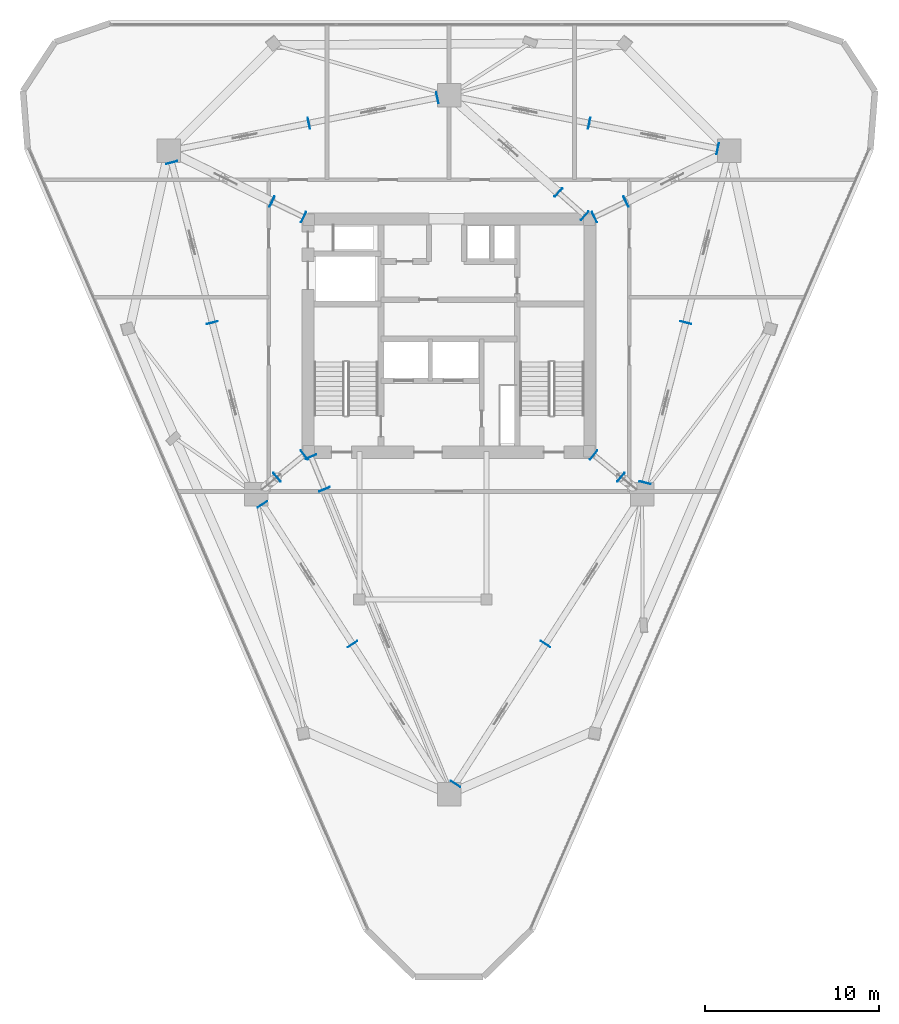
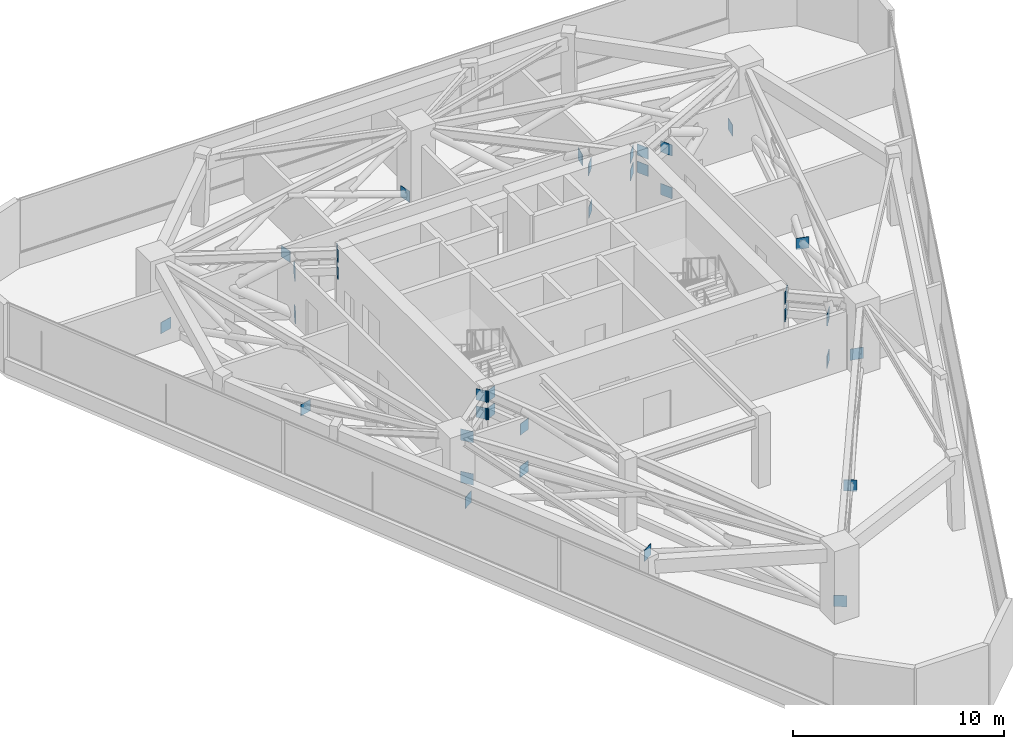
# One storey, part 9 of 12: 36 plates.
"""IFC4 building model written with IfcOpenShell, lengths in metres."""

from ifc_helpers import new_model, si_unit, direction, frame, origin, origin_2d, place, context, subcontext, project, spatial, rectangle, extrude, material, layer, layer_set, type_object, element, save


model = new_model("IFC4")

# Units and contexts
model_context = context("Model", 3, precision=1e-05, world=origin(), true_north=direction((0.0, 1.0)))
body_context = subcontext(model_context, "Body", "Model", "MODEL_VIEW")
ifc_project = project(units=[si_unit("LENGTHUNIT", "METRE"), si_unit("AREAUNIT", "SQUARE_METRE"), si_unit("VOLUMEUNIT", "CUBIC_METRE"), si_unit("PLANEANGLEUNIT", "RADIAN"), si_unit("MASSUNIT", "GRAM", prefix="KILO")], contexts=[model_context])

# Site, building, storey
site_placement = place(None, origin())
site = spatial("IfcSite", under=ifc_project, at=site_placement, CompositionType="ELEMENT")
building_placement = place(site_placement, origin())
building = spatial("IfcBuilding", under=site, at=building_placement, Name="Talyreon Biosciences Tower", CompositionType="ELEMENT")
storey_placement = place(building_placement, frame((0.0, 0.0, 227.39990234375)))
storey = spatial("IfcBuildingStorey", under=building, at=storey_placement, Name="L60", CompositionType="ELEMENT", Elevation=227.39990234375)

# Plates
ifc_material = material(Name="Steel SM355", Category="steel")
ifc_layer = layer(ifc_material, 0.028076171875)
ifc_layer_set = layer_set([ifc_layer], Name="Steel SM355")
plate_type = type_object("IfcPlateType", Name="HollowEndCapPlate_28", PredefinedType="SHEET", material=ifc_layer_set)
for number, where, z_axis, x_axis, name in (
    (1, (58.076904296875, 61.039794921875, 3.375244140625), (0.0, 0.0, 1.0), (0.925580150933, 0.378551692902, 0.0), "Truss node plate NP-L60-OC-1"),
    (2, (58.076904296875, 61.039794921875, 2.375244140625), (0.0, 0.0, 1.0), (0.925580150933, 0.378551692902, 0.0), "Truss node plate NP-L60-OCM0-1"),
    (3, (58.844970703125, 59.161865234375, 2.375244140625), (0.0, 0.0, 1.0), (0.925580150933, 0.378551692902, 0.0), "Truss node plate NP-L60-OCM1-1"),
    (4, (58.839599609375, 59.1748046875, -0.0849609375), (0.0, 0.0, 1.0), (0.925586757766, 0.378535538423, 0.0), "Truss node plate NP-OUT-L60-R1-E"),
    (5, (74.309814453125, 61.138671875, 3.375244140625), (0.0, 0.0, 1.0), (0.631000821652, 0.775782162127, 0.0), "Truss node plate NP-L60-OC-2"),
    (6, (74.309814453125, 61.138671875, 2.375244140625), (0.0, 0.0, 1.0), (0.631000821652, 0.775782162127, 0.0), "Truss node plate NP-L60-OCM0-2"),
    (7, (75.884033203125, 59.8583984375, 2.375244140625), (0.0, 0.0, 1.0), (0.631000821652, 0.775782162127, 0.0), "Truss node plate NP-L60-OCM1-2"),
    (8, (75.873046875, 59.8671875, -0.0849609375), (0.0, 0.0, 1.0), (0.631014361508, 0.775771148967, 0.0), "Truss node plate NP-OUT-L60-R2-E"),
    (9, (74.350830078125, 74.797607421875, 3.375244140625), (0.0, 0.0, 1.0), (-0.440283955252, 0.89785858505, 0.0), "Truss node plate NP-L60-OC-3"),
    (10, (74.350830078125, 74.797607421875, 2.375244140625), (0.0, 0.0, 1.0), (-0.440283955252, 0.89785858505, 0.0), "Truss node plate NP-L60-OCM0-3"),
    (11, (76.172607421875, 75.69091796875, 2.375244140625), (0.0, 0.0, 1.0), (-0.440283955252, 0.89785858505, 0.0), "Truss node plate NP-L60-OCM1-3"),
    (12, (76.159912109375, 75.684814453125, -0.0849609375), (0.0, 0.0, 1.0), (-0.440283955252, 0.89785858505, 0.0), "Truss node plate NP-OUT-L60-R3-E"),
    (13, (73.79931640625, 74.872314453125, 3.375244140625), (0.0, 0.0, 1.0), (-0.663495401773, -0.748180360492, 0.0), "Truss node plate NP-L60-OC-4"),
    (14, (73.79931640625, 74.872314453125, 2.375244140625), (0.0, 0.0, 1.0), (-0.663495401773, -0.748180360492, 0.0), "Truss node plate NP-L60-OCM0-4"),
    (15, (72.28125, 76.218505859375, 2.375244140625), (0.0, 0.0, 1.0), (-0.663495401773, -0.748180360492, 0.0), "Truss node plate NP-L60-OCM1-4"),
    (16, (72.291748046875, 76.209228515625, -0.0849609375), (0.0, 0.0, 1.0), (-0.663495401773, -0.748180360492, 0.0), "Truss node plate NP-OUT-L60-R4-E"),
    (17, (57.649169921875, 74.797607421875, 3.375244140625), (0.0, 0.0, 1.0), (-0.440283955252, -0.89785858505, 0.0), "Truss node plate NP-L60-OC-5"),
    (18, (57.649169921875, 74.797607421875, 2.375244140625), (0.0, 0.0, 1.0), (-0.440283955252, -0.89785858505, 0.0), "Truss node plate NP-L60-OCM0-5"),
    (19, (55.827392578125, 75.69091796875, 2.375244140625), (0.0, 0.0, 1.0), (-0.440283955252, -0.89785858505, 0.0), "Truss node plate NP-L60-OCM1-5"),
    (20, (55.840087890625, 75.684814453125, -0.0849609375), (0.0, 0.0, 1.0), (-0.440283955252, -0.89785858505, 0.0), "Truss node plate NP-OUT-L60-R5-E"),
    (21, (57.690185546875, 61.138671875, 3.375244140625), (0.0, 0.0, 1.0), (0.631000821652, -0.775782162127, 0.0), "Truss node plate NP-L60-OC-6"),
    (22, (57.690185546875, 61.138671875, 2.375244140625), (0.0, 0.0, 1.0), (0.631000821652, -0.775782162127, 0.0), "Truss node plate NP-L60-OCM0-6"),
    (23, (56.115966796875, 59.8583984375, 2.375244140625), (0.0, 0.0, 1.0), (0.631000821652, -0.775782162127, 0.0), "Truss node plate NP-L60-OCM1-6"),
    (24, (56.126953125, 59.8671875, -0.0849609375), (0.0, 0.0, 1.0), (0.631014361508, -0.775771148967, 0.0), "Truss node plate NP-OUT-L60-R6-E"),
    (25, (66.370849609375, 42.242919921875, -0.0849609375), (0.0, 0.0, 1.0), (-0.840727294555, 0.54145878531, 0.0), "Truss node plate NP-BELT-L60-B1S1-E"),
    (26, (71.543212890625, 50.273681640625, -0.0849609375), (0.0, 0.0, 1.0), (-0.840727294555, 0.54145878531, 0.0), "Truss node plate NP-BELT-L60-B1S2-E"),
    (27, (77.255126953125, 59.544189453125, -0.0849609375), (0.0, 0.0, 1.0), (-0.969132019352, 0.246542347409, 0.0), "Truss node plate NP-BELT-L60-B2S1-E"),
    (28, (79.59423828125, 68.739501953125, -0.0849609375), (0.0, 0.0, 1.0), (-0.969132019352, 0.246542347409, 0.0), "Truss node plate NP-BELT-L60-B2S2-E"),
    (29, (81.430419921875, 78.731689453125, -0.0849609375), (0.0, 0.0, 1.0), (-0.194337075538, -0.980934809797, 0.0), "Truss node plate NP-BELT-L60-B3S1-E"),
    (30, (74.05126953125, 80.19384765625, -0.0849609375), (0.0, 0.0, 1.0), (-0.194337075538, -0.980934809797, 0.0), "Truss node plate NP-BELT-L60-B3S2-E"),
    (31, (65.328125, 81.65576171875, -0.0849609375), (0.0, 0.0, 1.0), (0.194337075538, -0.980934809797, 0.0), "Truss node plate NP-BELT-L60-B4S1-E"),
    (32, (57.94873046875, 80.19384765625, -0.0849609375), (0.0, 0.0, 1.0), (0.194337075538, -0.980934809797, 0.0), "Truss node plate NP-BELT-L60-B4S2-E"),
    (33, (50.06640625, 77.934814453125, -0.0849609375), (0.0, 0.0, 1.0), (0.969132019352, 0.246542347409, 0.0), "Truss node plate NP-BELT-L60-B5S1-E"),
    (34, (52.40576171875, 68.739501953125, -0.0849609375), (0.0, 0.0, 1.0), (0.969132019352, 0.246542347409, 0.0), "Truss node plate NP-BELT-L60-B5S2-E"),
    (35, (55.28466796875, 58.304443359375, -0.0849609375), (0.0, 0.0, 1.0), (0.840727294555, 0.54145878531, 0.0), "Truss node plate NP-BELT-L60-B6S1-E"),
    (36, (60.456787109375, 50.273681640625, -0.0849609375), (0.0, 0.0, 1.0), (0.840727294555, 0.54145878531, 0.0), "Truss node plate NP-BELT-L60-B6S2-E"),
):
    element("IfcPlate", number, at=place(storey_placement, frame(where, z_axis=z_axis, x_axis=x_axis)), inside=storey, type_object=plate_type, Name=name, PredefinedType="SHEET", context=body_context, shape_type="SweptSolid", body=[
        extrude(rectangle(XDim=0.64990234375, YDim=0.028076171875, at=origin_2d()), origin(), (0.0, 0.0, 1.0), 0.64990234375),
    ])

save(model, "model.ifc")
